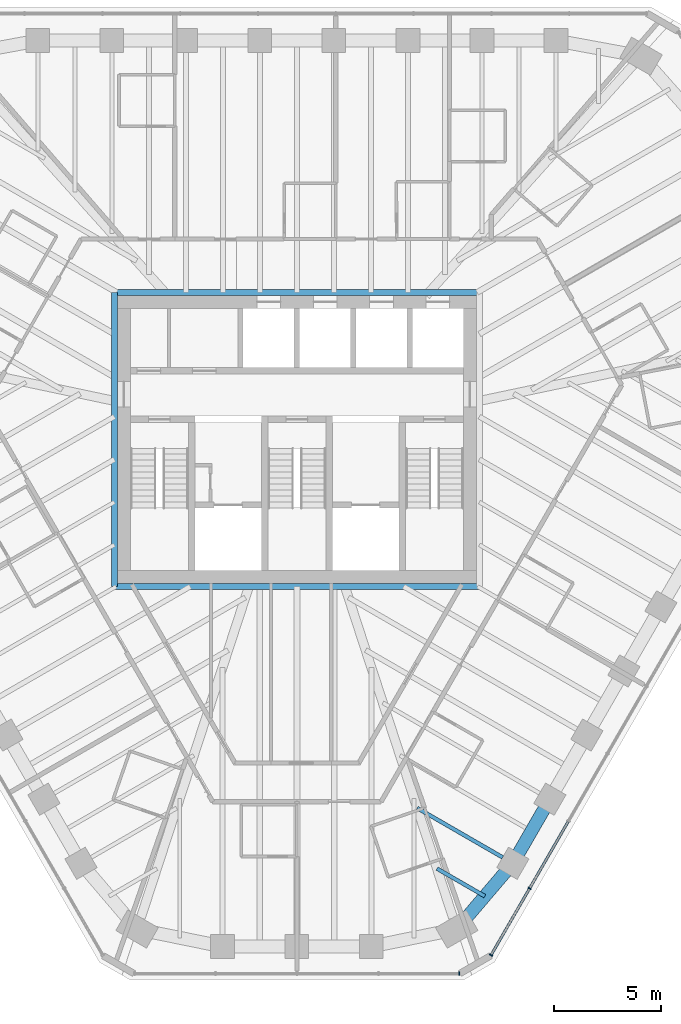
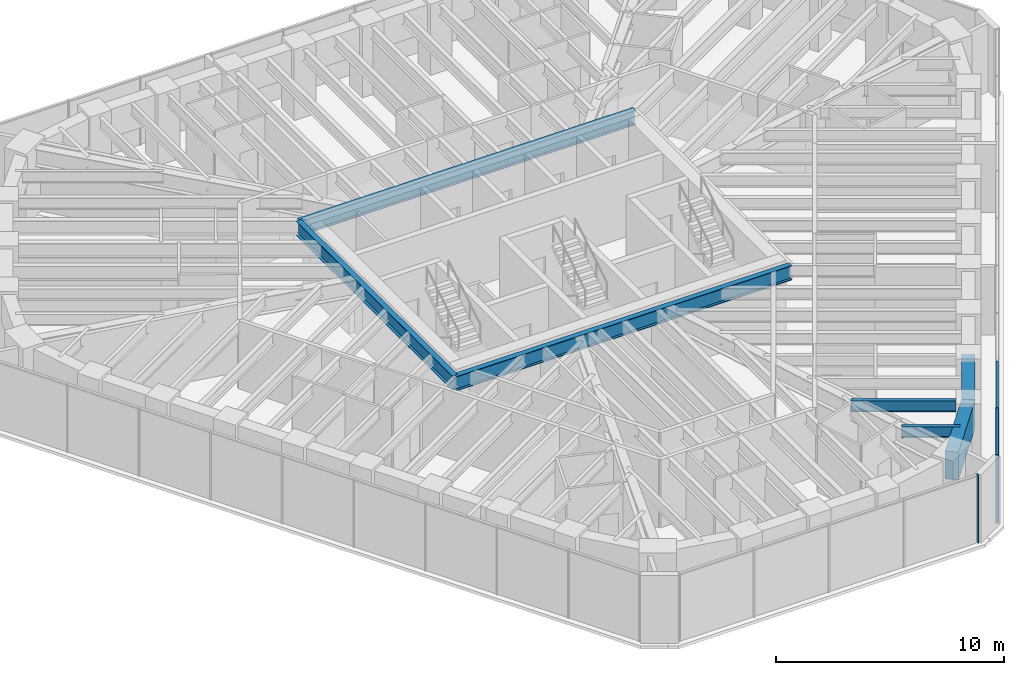
# One storey, part 4 of 14: 7 beams, 5 members, 2 elements without a shape of their own.
"""IFC4 building model written with IfcOpenShell, lengths in metres."""

from ifc_helpers import new_model, si_unit, direction, frame, origin, origin_2d, place, context, subcontext, project, spatial, rectangle, i_section, extrude, material, material_profile, profile_set, type_object, element, aggregate, save


model = new_model("IFC4")

# Units and contexts
model_context = context("Model", 3, precision=1e-05, world=origin(), true_north=direction((0.0, 1.0)))
body_context = subcontext(model_context, "Body", "Model", "MODEL_VIEW")
ifc_project = project(units=[si_unit("LENGTHUNIT", "METRE"), si_unit("AREAUNIT", "SQUARE_METRE"), si_unit("VOLUMEUNIT", "CUBIC_METRE"), si_unit("PLANEANGLEUNIT", "RADIAN"), si_unit("MASSUNIT", "GRAM", prefix="KILO")], contexts=[model_context])

# Site, building, storey
site_placement = place(None, origin())
site = spatial("IfcSite", under=ifc_project, at=site_placement, CompositionType="ELEMENT")
building_placement = place(site_placement, origin())
building = spatial("IfcBuilding", under=site, at=building_placement, Name="Sandreach Pilgrim Tower", CompositionType="ELEMENT")
storey_placement = place(building_placement, frame((0.0, 0.0, 272.199951171875)))
storey = spatial("IfcBuildingStorey", under=building, at=storey_placement, Name="L68", CompositionType="ELEMENT", Elevation=272.199951171875)

# Curtain wall, members
ifc_material_1 = material(Name="Aluminium framed curtain wall", Category="aluminium")
curtain_wall_type = type_object("IfcCurtainWallType", Name="Suite tower curtain wall", PredefinedType="NOTDEFINED", material=ifc_material_1)
curtain_wall_1_placement = place(storey_placement, origin())
curtain_wall_1 = element("IfcCurtainWall", 1, at=curtain_wall_1_placement, inside=storey, type_object=curtain_wall_type, Name="CW-4 L68 SE", PredefinedType="NOTDEFINED")
ifc_material_2 = material(Name="Aluminium extrusion", Category="aluminium")
ifc_material_profile_1 = material_profile(ifc_material_2, rectangle(XDim=0.06005859375, YDim=0.159912109375, at=origin_2d()), Name="CW-4M 60X160")
ifc_profile_set_1 = profile_set([ifc_material_profile_1], Name="Aluminium extrusion")
member_type_1 = type_object("IfcMemberType", Name="CW-4 mullion", PredefinedType="MULLION", material=ifc_profile_set_1)
member_1_placement = place(storey_placement, frame((10.83203125, -20.891357421875, 0.0), z_axis=(0.0, 0.0, 1.0), x_axis=(-0.5, -0.866025403784, 0.0)))
member_1 = element("IfcMember", 2, at=member_1_placement, type_object=member_type_1, Name="CW-4 mullion 9", PredefinedType="MULLION", context=body_context, shape_type="SweptSolid", body=[
    extrude(rectangle(XDim=0.06005859375, YDim=0.159912109375, at=origin_2d()), origin(), (0.0, 0.0, 1.0), 3.64013671875),
])
member_2_placement = place(storey_placement, frame((9.035888671875, -24.001953125, 0.0), z_axis=(0.0, 0.0, 1.0), x_axis=(-0.5, -0.866025403784, 0.0)))
member_2 = element("IfcMember", 3, at=member_2_placement, type_object=member_type_1, Name="CW-4 mullion 10", PredefinedType="MULLION", context=body_context, shape_type="SweptSolid", body=[
    extrude(rectangle(XDim=0.06005859375, YDim=0.159912109375, at=origin_2d()), origin(), (0.0, 0.0, 1.0), 3.64013671875),
])

# Curtain wall, member
curtain_wall_2_placement = place(storey_placement, origin())
curtain_wall_2 = element("IfcCurtainWall", 4, at=curtain_wall_2_placement, inside=storey, type_object=curtain_wall_type, Name="CW-4 L68 S", PredefinedType="NOTDEFINED")
member_3_placement = place(storey_placement, frame((7.553466796875, -24.858154296875, 0.0), z_axis=(0.0, 0.0, 1.0), x_axis=(-1.0, 0.0, 0.0)))
member_3 = element("IfcMember", 5, at=member_3_placement, type_object=member_type_1, Name="CW-4 mullion 1", PredefinedType="MULLION", context=body_context, shape_type="SweptSolid", body=[
    extrude(rectangle(XDim=0.06005859375, YDim=0.159912109375, at=origin_2d()), origin(), (0.0, 0.0, 1.0), 3.64013671875),
])
aggregate(curtain_wall_2, [member_3])

# Member
ifc_material_3 = material(Name="Aluminium extrusion", Category="aluminium")
ifc_material_profile_2 = material_profile(ifc_material_3, rectangle(XDim=0.1201171875, YDim=0.070068359375, at=origin_2d()), Name="CW-4T 120X70")
ifc_profile_set_2 = profile_set([ifc_material_profile_2], Name="Aluminium extrusion")
member_type_2 = type_object("IfcMemberType", Name="CW-4 transom", PredefinedType="USERDEFINED", material=ifc_profile_set_2)
member_4_placement = place(storey_placement, frame((12.6279296875, -17.78076171875, 3.60498046875), z_axis=(-0.500009219579, -0.866020080793, 0.0), x_axis=(0.866020080793, -0.500009219579, 0.0)))
member_4 = element("IfcMember", 6, at=member_4_placement, type_object=member_type_2, Name="CW-4 head transom 8", ObjectType="TRANSOM", PredefinedType="USERDEFINED", context=body_context, shape_type="SweptSolid", body=[
    extrude(rectangle(XDim=0.1201171875, YDim=0.070068359375, at=origin_2d()), origin(), (0.0, 0.0, 1.0), 3.56201171875),
])

member_5_placement = place(storey_placement, frame((10.81689453125, -20.91748046875, 3.60498046875), z_axis=(-0.499997709859, -0.866026725994, 0.0), x_axis=(0.866026725994, -0.499997709859, 0.0)))
member_5 = element("IfcMember", 7, at=member_5_placement, type_object=member_type_2, Name="CW-4 head transom 9", ObjectType="TRANSOM", PredefinedType="USERDEFINED", context=body_context, shape_type="SweptSolid", body=[
    extrude(rectangle(XDim=0.1201171875, YDim=0.070068359375, at=origin_2d()), origin(), (0.0, 0.0, 1.0), 3.53173828125),
])

aggregate(curtain_wall_1, [member_1, member_2, member_4, member_5])

# Beams
ifc_material_4 = material(Name="Steel ASTM A992 Grade 50", Category="steel")
ifc_material_profile_3 = material_profile(ifc_material_4, i_section(OverallWidth=0.2666015625, OverallDepth=0.77978515625, WebThickness=0.0166015625, FlangeThickness=0.030029296875, at=origin_2d()), Name="W30X148")
ifc_profile_set_3 = profile_set([ifc_material_profile_3], Name="Steel ASTM A992 Grade 50")
beam_type_1 = type_object("IfcBeamType", Name="Core edge beam W30X148", PredefinedType="BEAM", material=ifc_profile_set_3)
for number, where, z_axis, x_axis, name in (
    (8, (-8.493408203125, 6.84326171875, 3.250244140625), (1.0, 0.0, 0.0), (0.0, 1.0, 0.0), "BM L68 CEN"),
    (9, (8.493408203125, -6.84326171875, 3.250244140625), (-1.0, 0.0, 0.0), (0.0, -1.0, 0.0), "BM L68 CES"),
):
    element("IfcBeam", number, at=place(storey_placement, frame(where, z_axis=z_axis, x_axis=x_axis)), inside=storey, type_object=beam_type_1, Name=name, PredefinedType="BEAM", context=body_context, shape_type="SweptSolid", body=[
        extrude(i_section(OverallWidth=0.2666015625, OverallDepth=0.77978515625, WebThickness=0.0166015625, FlangeThickness=0.030029296875, at=origin_2d()), origin(), (0.0, 0.0, 1.0), 16.98681640625),
    ])
beam_1_placement = place(storey_placement, frame((-8.493408203125, -6.84326171875, 3.250244140625), z_axis=(0.0, 1.0, 0.0), x_axis=(-1.0, 0.0, 0.0)))
element("IfcBeam", 10, at=beam_1_placement, inside=storey, type_object=beam_type_1, Name="BM L68 CEW", PredefinedType="BEAM", context=body_context, shape_type="SweptSolid", body=[
    extrude(i_section(OverallWidth=0.2666015625, OverallDepth=0.77978515625, WebThickness=0.0166015625, FlangeThickness=0.030029296875, at=origin_2d()), origin(), (0.0, 0.0, 1.0), 13.6865234375),
])
ifc_material_5 = material(Name="Steel ASTM A992 Grade 50", Category="steel")
ifc_material_profile_4 = material_profile(ifc_material_5, i_section(OverallWidth=0.1787109375, OverallDepth=0.60205078125, WebThickness=0.010986328125, FlangeThickness=0.014892578125, at=origin_2d()), Name="W24X62")
ifc_profile_set_4 = profile_set([ifc_material_profile_4], Name="Steel ASTM A992 Grade 50")
beam_type_2 = type_object("IfcBeamType", Name="Floor beam W24X62", PredefinedType="BEAM", material=ifc_profile_set_4)
beam_2_placement = place(storey_placement, frame((9.573974609375, -19.450439453125, 3.339111328125), z_axis=(-0.866024320471, 0.50000187635, 0.0), x_axis=(-0.50000187635, -0.866024320471, 0.0)))
element("IfcBeam", 11, at=beam_2_placement, inside=storey, type_object=beam_type_2, Name="BM L68 F21", PredefinedType="BEAM", context=body_context, shape_type="SweptSolid", body=[
    extrude(i_section(OverallWidth=0.1787109375, OverallDepth=0.60205078125, WebThickness=0.010986328125, FlangeThickness=0.014892578125, at=origin_2d()), origin(), (0.0, 0.0, 1.0), 4.58837890625),
])
beam_3_placement = place(storey_placement, frame((8.74462890625, -21.25732421875, 3.339111328125), z_axis=(-0.866041575714, 0.49997198835, 0.0), x_axis=(-0.49997198835, -0.866041575714, 0.0)))
element("IfcBeam", 12, at=beam_3_placement, inside=storey, type_object=beam_type_2, Name="BM L68 FM21", PredefinedType="BEAM", context=body_context, shape_type="SweptSolid", body=[
    extrude(i_section(OverallWidth=0.1787109375, OverallDepth=0.60205078125, WebThickness=0.010986328125, FlangeThickness=0.014892578125, at=origin_2d()), origin(), (0.0, 0.0, 1.0), 2.569091796875),
])
ifc_material_6 = material(Name="Concrete 10000 psi", Category="concrete")
ifc_material_profile_5 = material_profile(ifc_material_6, rectangle(XDim=0.60009765625, YDim=1.5, at=origin_2d()), Name="RC600X1500")
ifc_profile_set_5 = profile_set([ifc_material_profile_5], Name="Concrete 10000 psi")
beam_type_3 = type_object("IfcBeamType", Name="Spandrel beam RC600X1500", PredefinedType="SPANDREL", material=ifc_profile_set_5)
beam_4_placement = place(storey_placement, frame((11.772705078125, -16.741943359375, 2.89013671875), z_axis=(-0.499988291006, -0.866032163869, 0.0), x_axis=(0.866032163869, -0.499988291006, 0.0)))
element("IfcBeam", 13, at=beam_4_placement, inside=storey, type_object=beam_type_3, Name="BM L68 SP20", PredefinedType="SPANDREL", context=body_context, shape_type="SweptSolid", body=[
    extrude(rectangle(XDim=0.60009765625, YDim=1.5, at=origin_2d()), origin(), (0.0, 0.0, 1.0), 3.44482421875),
])
beam_5_placement = place(storey_placement, frame((10.05029296875, -19.725341796875, 2.89013671875), z_axis=(-0.648586192707, -0.761141215958, 0.0), x_axis=(0.761141215958, -0.648586192707, 0.0)))
element("IfcBeam", 14, at=beam_5_placement, inside=storey, type_object=beam_type_3, Name="BM L68 SP21", PredefinedType="SPANDREL", context=body_context, shape_type="SweptSolid", body=[
    extrude(rectangle(XDim=0.60009765625, YDim=1.5, at=origin_2d()), origin(), (0.0, 0.0, 1.0), 4.02587890625),
])

save(model, "model.ifc")
